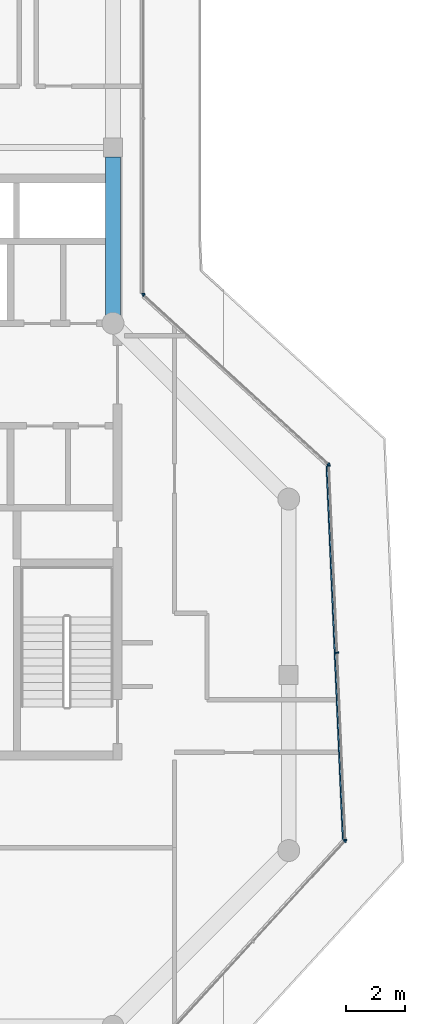
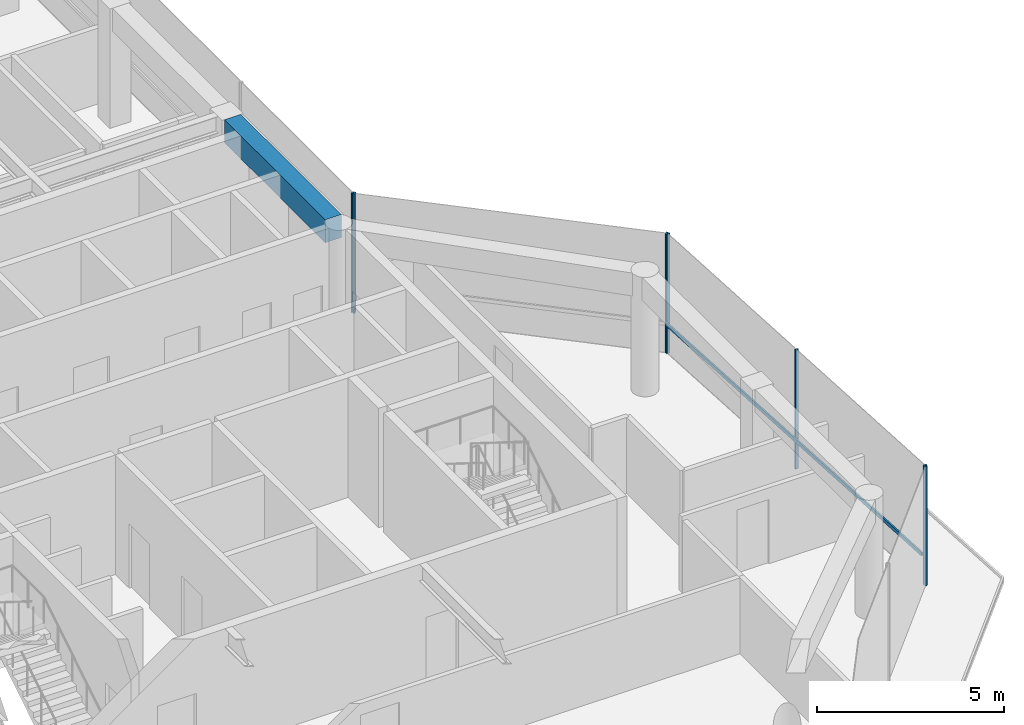
# One storey, part 6 of 19: 8 members, 1 beam, 4 elements without a shape of their own.
"""IFC4 building model written with IfcOpenShell, lengths in metres."""

from ifc_helpers import new_model, si_unit, direction, frame, origin, origin_2d, place, context, subcontext, project, spatial, rectangle, extrude, material, layer, layer_set, material_profile, profile_set, type_object, element, aggregate, save


model = new_model("IFC4")

# Units and contexts
model_context = context("Model", 3, precision=1e-05, world=origin(), true_north=direction((0.0, 1.0)))
body_context = subcontext(model_context, "Body", "Model", "MODEL_VIEW")
ifc_project = project(units=[si_unit("LENGTHUNIT", "METRE"), si_unit("AREAUNIT", "SQUARE_METRE"), si_unit("VOLUMEUNIT", "CUBIC_METRE"), si_unit("PLANEANGLEUNIT", "RADIAN"), si_unit("MASSUNIT", "GRAM", prefix="KILO")], contexts=[model_context])

# Site, building, storey
site_placement = place(None, origin())
site = spatial("IfcSite", under=ifc_project, at=site_placement, CompositionType="ELEMENT")
building_placement = place(site_placement, origin())
building = spatial("IfcBuilding", under=site, at=building_placement, Name="Welwitschia Terrace Campus", CompositionType="ELEMENT")
storey_placement = place(building_placement, frame((0.0, 0.0, 323.0)))
storey = spatial("IfcBuildingStorey", under=building, at=storey_placement, Name="L72", CompositionType="ELEMENT", Elevation=323.0)

# Curtain wall, member
ifc_material_1 = material(Name="Bronze anodised aluminium", Category="aluminium")
ifc_layer = layer(ifc_material_1, 0.10009765625)
ifc_layer_set = layer_set([ifc_layer], Name="Bronze anodised aluminium")
curtain_wall_type = type_object("IfcCurtainWallType", Name="Curtain wall CW5 crown 6000", PredefinedType="NOTDEFINED", material=ifc_layer_set)
curtain_wall_1_placement = place(storey_placement, origin())
curtain_wall_1 = element("IfcCurtainWall", 1, at=curtain_wall_1_placement, inside=storey, type_object=curtain_wall_type, Name="CW L72.3.0", PredefinedType="NOTDEFINED")
ifc_material_2 = material(Name="Bronze anodised aluminium", Category="aluminium")
ifc_material_profile_1 = material_profile(ifc_material_2, rectangle(XDim=0.10009765625, YDim=0.050048828125, at=origin_2d()))
ifc_profile_set_1 = profile_set([ifc_material_profile_1], Name="Bronze anodised aluminium")
member_type_1 = type_object("IfcMemberType", Name="Mullion 50x100", PredefinedType="MULLION", material=ifc_profile_set_1)
member_1_placement = place(storey_placement, frame((31.915283203125, 2.315185546875, 0.0), z_axis=(0.0, 0.0, 1.0), x_axis=(-0.73727733681, 0.675590207616, 0.0)))
member_1 = element("IfcMember", 2, at=member_1_placement, type_object=member_type_1, Name="Mullion L72.3.0.2", PredefinedType="MULLION", context=body_context, shape_type="SweptSolid", body=[
    extrude(rectangle(XDim=0.10009765625, YDim=0.050048828125, at=origin_2d()), origin(), (0.0, 0.0, 1.0), 3.89990234375),
])
aggregate(curtain_wall_1, [member_1])

# Curtain wall, members
curtain_wall_2_placement = place(storey_placement, origin())
curtain_wall_2 = element("IfcCurtainWall", 3, at=curtain_wall_2_placement, inside=storey, type_object=curtain_wall_type, Name="CW L72.4.0", PredefinedType="NOTDEFINED")
member_2_placement = place(storey_placement, frame((31.930908203125, 2.3583984375, 0.0), z_axis=(0.0, 0.0, 1.0), x_axis=(-0.999048221582, -0.043619387365, 0.0)))
member_2 = element("IfcMember", 4, at=member_2_placement, type_object=member_type_1, Name="Mullion L72.4.0.0", PredefinedType="MULLION", context=body_context, shape_type="SweptSolid", body=[
    extrude(rectangle(XDim=0.10009765625, YDim=0.050048828125, at=origin_2d()), origin(), (0.0, 0.0, 1.0), 3.89990234375),
])
member_3_placement = place(storey_placement, frame((31.65185546875, 8.754150390625, 0.0), z_axis=(0.0, 0.0, 1.0), x_axis=(-0.999048221582, -0.043619387365, 0.0)))
member_3 = element("IfcMember", 5, at=member_3_placement, type_object=member_type_1, Name="Mullion L72.4.0.1", PredefinedType="MULLION", context=body_context, shape_type="SweptSolid", body=[
    extrude(rectangle(XDim=0.10009765625, YDim=0.050048828125, at=origin_2d()), origin(), (0.0, 0.0, 1.0), 3.89990234375),
])
member_4_placement = place(storey_placement, frame((31.37255859375, 15.149658203125, 0.0), z_axis=(0.0, 0.0, 1.0), x_axis=(-0.999048221582, -0.043619387365, 0.0)))
member_4 = element("IfcMember", 6, at=member_4_placement, type_object=member_type_1, Name="Mullion L72.4.0.2", PredefinedType="MULLION", context=body_context, shape_type="SweptSolid", body=[
    extrude(rectangle(XDim=0.10009765625, YDim=0.050048828125, at=origin_2d()), origin(), (0.0, 0.0, 1.0), 3.89990234375),
])

curtain_wall_3_placement = place(storey_placement, origin())
curtain_wall_3 = element("IfcCurtainWall", 7, at=curtain_wall_3_placement, inside=storey, type_object=curtain_wall_type, Name="CW L72.5.0", PredefinedType="NOTDEFINED")
member_5_placement = place(storey_placement, frame((31.35302734375, 15.19140625, 0.0), z_axis=(0.0, 0.0, 1.0), x_axis=(-0.675590207616, -0.73727733681, 0.0)))
member_5 = element("IfcMember", 8, at=member_5_placement, type_object=member_type_1, Name="Mullion L72.5.0.0", PredefinedType="MULLION", context=body_context, shape_type="SweptSolid", body=[
    extrude(rectangle(XDim=0.10009765625, YDim=0.050048828125, at=origin_2d()), origin(), (0.0, 0.0, 1.0), 3.89990234375),
])
member_6_placement = place(storey_placement, frame((25.04833984375, 20.968505859375, 0.0), z_axis=(0.0, 0.0, 1.0), x_axis=(-0.675590207616, -0.73727733681, 0.0)))
member_6 = element("IfcMember", 9, at=member_6_placement, type_object=member_type_1, Name="Mullion L72.5.0.1", PredefinedType="MULLION", context=body_context, shape_type="SweptSolid", body=[
    extrude(rectangle(XDim=0.10009765625, YDim=0.050048828125, at=origin_2d()), origin(), (0.0, 0.0, 1.0), 3.89990234375),
])
aggregate(curtain_wall_3, [member_5, member_6])

# Curtain wall, member
curtain_wall_4_placement = place(storey_placement, origin())
curtain_wall_4 = element("IfcCurtainWall", 10, at=curtain_wall_4_placement, inside=storey, type_object=curtain_wall_type, Name="CW L72.6.0", PredefinedType="NOTDEFINED")
member_7_placement = place(storey_placement, frame((25.030029296875, 21.010498046875, 0.0), z_axis=(0.0, 0.0, 1.0), x_axis=(-1.0, 0.0, 0.0)))
member_7 = element("IfcMember", 11, at=member_7_placement, type_object=member_type_1, Name="Mullion L72.6.0.0", PredefinedType="MULLION", context=body_context, shape_type="SweptSolid", body=[
    extrude(rectangle(XDim=0.10009765625, YDim=0.050048828125, at=origin_2d()), origin(), (0.0, 0.0, 1.0), 3.89990234375),
])
aggregate(curtain_wall_4, [member_7])

# Beam
ifc_material_3 = material(Name="Concrete C40/50", Category="concrete")
ifc_material_profile_2 = material_profile(ifc_material_3, rectangle(XDim=0.5, YDim=0.75, at=origin_2d()))
ifc_profile_set_2 = profile_set([ifc_material_profile_2], Name="Concrete C40/50")
beam_type = type_object("IfcBeamType", Name="Ring spandrel 500x750", PredefinedType="SPANDREL", material=ifc_profile_set_2)
beam_placement = place(storey_placement, frame((24.0, 20.280517578125, 3.52490234375), z_axis=(0.0, 1.0, 0.0), x_axis=(-1.0, 0.0, 0.0)))
element("IfcBeam", 12, at=beam_placement, inside=storey, type_object=beam_type, Name="Spandrel SP5", PredefinedType="SPANDREL", context=body_context, shape_type="SweptSolid", body=[
    extrude(rectangle(XDim=0.5, YDim=0.75, at=origin_2d()), origin(), (0.0, 0.0, 1.0), 5.39404296875),
])

# Member
ifc_material_4 = material(Name="Bronze anodised aluminium", Category="aluminium")
ifc_material_profile_3 = material_profile(ifc_material_4, rectangle(XDim=0.050048828125, YDim=0.1201171875, at=origin_2d()))
ifc_profile_set_3 = profile_set([ifc_material_profile_3], Name="Bronze anodised aluminium")
member_type_2 = type_object("IfcMemberType", Name="Transom 50x120", PredefinedType="USERDEFINED", material=ifc_profile_set_3)
member_8_placement = place(storey_placement, frame((31.85498046875, 2.380126953125, 1.0), z_axis=(-0.043627464039, 0.999047868914, 0.0), x_axis=(-0.999047868914, -0.043627464039, 0.0)))
member_8 = element("IfcMember", 13, at=member_8_placement, type_object=member_type_2, Name="Transom L72.4.0", ObjectType="TRANSOM", PredefinedType="USERDEFINED", context=body_context, shape_type="SweptSolid", body=[
    extrude(rectangle(XDim=0.050048828125, YDim=0.1201171875, at=origin_2d()), origin(), (0.0, 0.0, 1.0), 12.75341796875),
])

aggregate(curtain_wall_2, [member_2, member_3, member_4, member_8])

save(model, "model.ifc")
